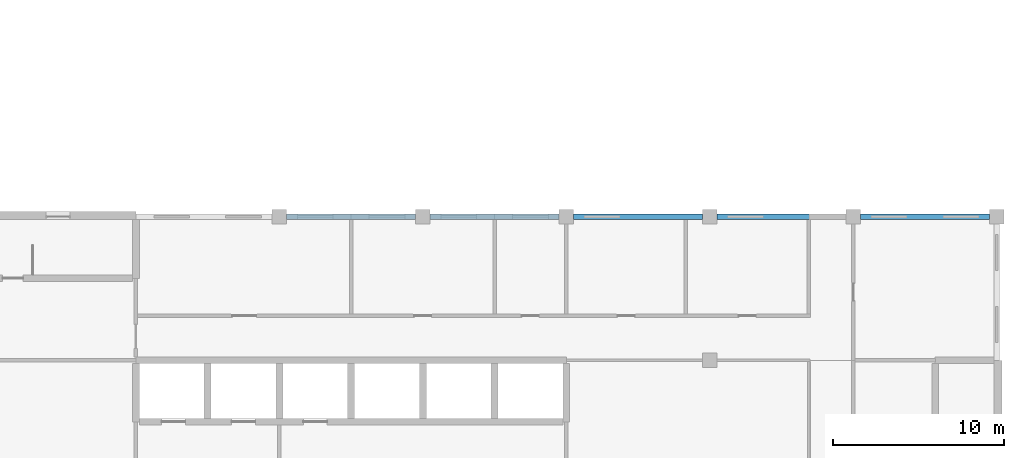
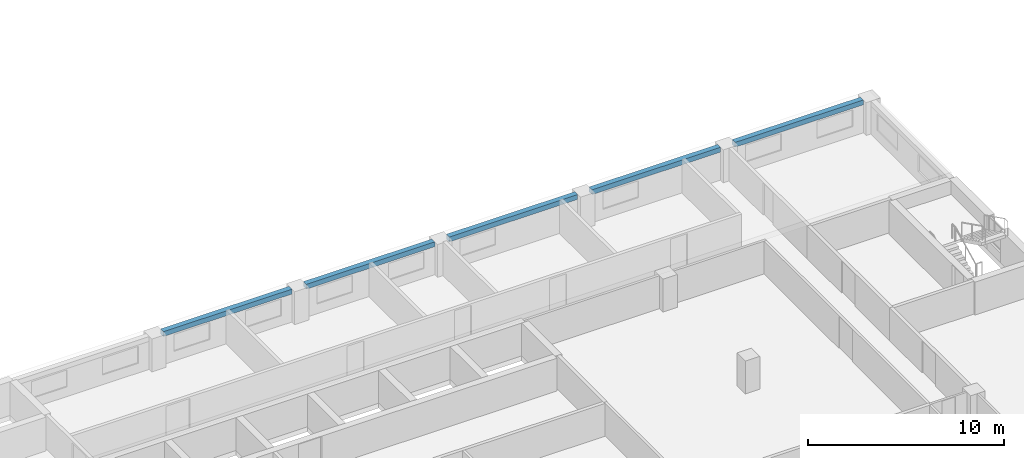
# One storey, part 22 of 48: 5 beams.
"""IFC4 building model written with IfcOpenShell, lengths in metres."""

from ifc_helpers import new_model, si_unit, direction, frame, origin, origin_2d, place, context, subcontext, project, spatial, rectangle, extrude, material, material_profile, profile_set, type_object, element, save


model = new_model("IFC4")

# Units and contexts
model_context = context("Model", 3, precision=1e-05, world=origin(), true_north=direction((0.0, 1.0)))
body_context = subcontext(model_context, "Body", "Model", "MODEL_VIEW")
ifc_project = project(units=[si_unit("LENGTHUNIT", "METRE"), si_unit("AREAUNIT", "SQUARE_METRE"), si_unit("VOLUMEUNIT", "CUBIC_METRE"), si_unit("PLANEANGLEUNIT", "RADIAN"), si_unit("MASSUNIT", "GRAM", prefix="KILO")], contexts=[model_context])

# Site, building, storey
site_placement = place(None, origin())
site = spatial("IfcSite", under=ifc_project, at=site_placement, CompositionType="ELEMENT")
building_placement = place(site_placement, origin())
building = spatial("IfcBuilding", under=site, at=building_placement, Name="Yavir Park General Hospital", CompositionType="ELEMENT")
storey_placement = place(building_placement, frame((0.0, 0.0, 12.89990234375)))
storey = spatial("IfcBuildingStorey", under=building, at=storey_placement, Name="I02", CompositionType="ELEMENT", Elevation=12.89990234375)

# Beams
ifc_material = material(Name="Concrete C35/45", Category="concrete")
ifc_material_profile = material_profile(ifc_material, rectangle(XDim=0.300048828125, YDim=0.300048828125, at=origin_2d()), Name="RC300x300")
ifc_profile_set = profile_set([ifc_material_profile], Name="Concrete C35/45")
beam_type = type_object("IfcBeamType", Name="RC BEAM 300x300 edge beam", PredefinedType="BEAM", material=ifc_profile_set)
for number, where, z_axis, x_axis, name in (
    (1, (126.425048828125, 33.60009765625, 1.89013671875), (1.0, 0.0, 0.0), (0.0, 1.0, 0.0), "B:EDGE:I02:025"),
    (2, (134.824951171875, 33.60009765625, 1.89013671875), (1.0, 0.0, 0.0), (0.0, 1.0, 0.0), "B:EDGE:I02:026"),
):
    element("IfcBeam", number, at=place(storey_placement, frame(where, z_axis=z_axis, x_axis=x_axis)), inside=storey, type_object=beam_type, Name=name, PredefinedType="BEAM", context=body_context, shape_type="SweptSolid", body=[
        extrude(rectangle(XDim=0.300048828125, YDim=0.300048828125, at=origin_2d()), origin(), (0.0, 0.0, 1.0), 7.550048828125),
    ])
beam_placement = place(storey_placement, frame((143.22509765625, 33.60009765625, 1.89013671875), z_axis=(1.0, 0.0, 0.0), x_axis=(0.0, 1.0, 0.0)))
element("IfcBeam", 3, at=beam_placement, inside=storey, type_object=beam_type, Name="B:EDGE:I02:027", PredefinedType="BEAM", context=body_context, shape_type="SweptSolid", body=[
    extrude(rectangle(XDim=0.300048828125, YDim=0.300048828125, at=origin_2d()), origin(), (0.0, 0.0, 1.0), 7.5498046875),
])
for number, where, z_axis, x_axis, name in (
    (4, (151.625, 33.60009765625, 1.89013671875), (1.0, 0.0, 0.0), (0.0, 1.0, 0.0), "B:EDGE:I02:028"),
    (5, (160.02490234375, 33.60009765625, 1.89013671875), (1.0, 0.0, 0.0), (0.0, 1.0, 0.0), "B:EDGE:I02:029"),
):
    element("IfcBeam", number, at=place(storey_placement, frame(where, z_axis=z_axis, x_axis=x_axis)), inside=storey, type_object=beam_type, Name=name, PredefinedType="BEAM", context=body_context, shape_type="SweptSolid", body=[
        extrude(rectangle(XDim=0.300048828125, YDim=0.300048828125, at=origin_2d()), origin(), (0.0, 0.0, 1.0), 7.550048828125),
    ])

save(model, "model.ifc")
